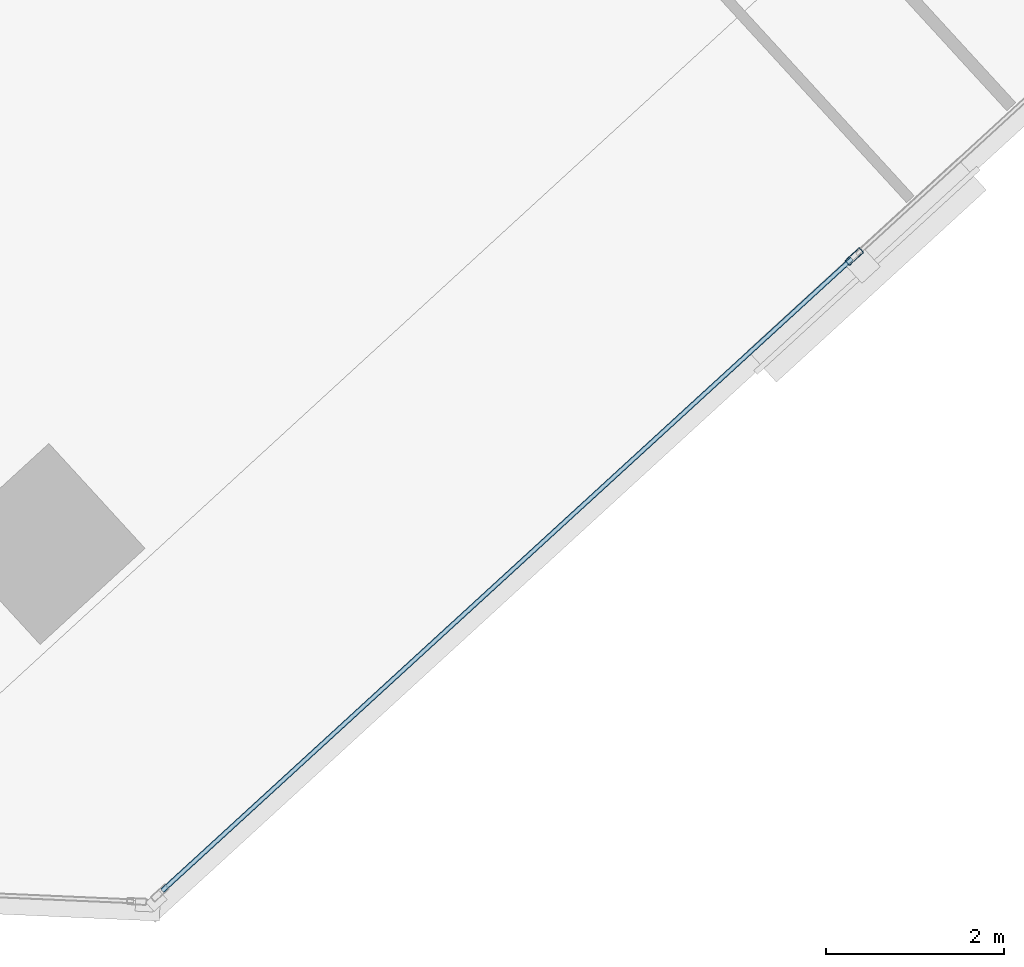
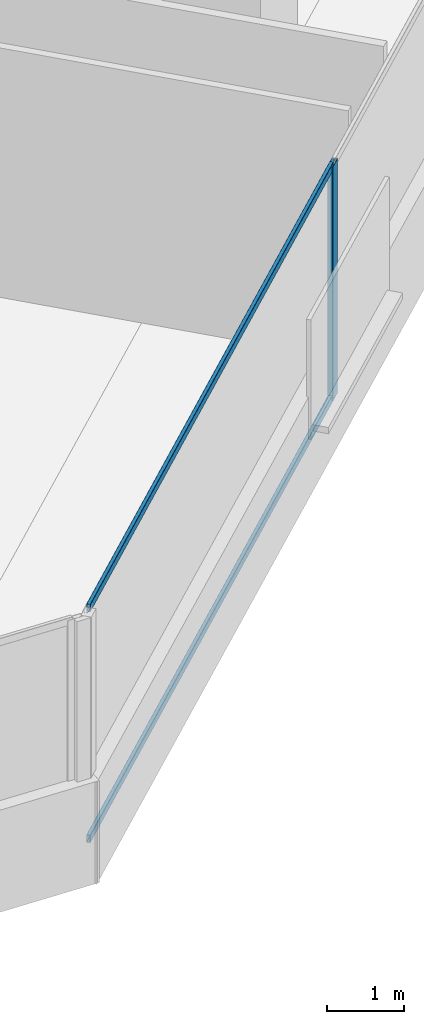
# One storey, part 5 of 16: 3 members, 1 element without a shape of its own.
"""IFC4 building model written with IfcOpenShell, lengths in metres."""

from ifc_helpers import new_model, si_unit, direction, frame, origin, origin_2d, place, context, subcontext, project, spatial, hollow_rectangle, extrude, source, transform, mapped, material, material_profile, profile_set, type_object, element, aggregate, save


model = new_model("IFC4")

# Units and contexts
model_context = context("Model", 3, precision=1e-05, world=origin(), true_north=direction((0.0, 1.0)))
body_context = subcontext(model_context, "Body", "Model", "MODEL_VIEW")
ifc_project = project(units=[si_unit("LENGTHUNIT", "METRE"), si_unit("AREAUNIT", "SQUARE_METRE"), si_unit("VOLUMEUNIT", "CUBIC_METRE"), si_unit("PLANEANGLEUNIT", "RADIAN"), si_unit("MASSUNIT", "GRAM", prefix="KILO")], contexts=[model_context])

# Site, building, storey
site_placement = place(None, origin())
site = spatial("IfcSite", under=ifc_project, at=site_placement, CompositionType="ELEMENT")
building_placement = place(site_placement, origin())
building = spatial("IfcBuilding", under=site, at=building_placement, Name="Torre Montelarca", CompositionType="ELEMENT")
storey_placement = place(building_placement, frame((0.0, 0.0, 262.60009765625)))
storey = spatial("IfcBuildingStorey", under=building, at=storey_placement, Name="L59", CompositionType="ELEMENT", Elevation=262.60009765625)

# Curtain wall, members
ifc_material_1 = material(Name="Insulated low-E laminated glass", Category="glass")
curtain_wall_type = type_object("IfcCurtainWallType", Name="CW-SYS-Z3", PredefinedType="USERDEFINED", material=ifc_material_1)
curtain_wall_placement = place(storey_placement, origin())
curtain_wall = element("IfcCurtainWall", 1, at=curtain_wall_placement, inside=storey, type_object=curtain_wall_type, Name="L59 Curtain Wall Run CW-T3-L59-E06-B1", ObjectType="UNITISED GLAZING", PredefinedType="USERDEFINED")
ifc_material_2 = material(Name="Anodised aluminium AA 6063-T6", Category="aluminium")
ifc_material_profile_1 = material_profile(ifc_material_2, hollow_rectangle(XDim=0.074951171875, YDim=0.219970703125, WallThickness=0.0048828125, InnerFilletRadius=0.0048828125, OuterFilletRadius=0.010009765625, at=origin_2d()), Name="ALU75X220X5", Category="aluminium")
ifc_profile_set_1 = profile_set([ifc_material_profile_1], Name="Anodised aluminium AA 6063-T6")
member_type_1 = type_object("IfcMemberType", Name="CWM-ALU220", PredefinedType="MULLION", material=ifc_profile_set_1)
shared_shape_1 = source(origin(), body_context, "Body", "SweptSolid", [
    extrude(hollow_rectangle(XDim=0.074951171875, YDim=0.219970703125, WallThickness=0.0048828125, InnerFilletRadius=0.0048828125, OuterFilletRadius=0.010009765625, at=origin_2d()), origin(), (0.0, 0.0, 1.0), 3.719970703125),
])
member_1_placement = place(storey_placement, frame((38.56005859375, 14.71435546875, 0.0), z_axis=(0.0, 0.0, 1.0), x_axis=(-0.675587287841, 0.73728001228, 0.0)))
member_1 = element("IfcMember", 2, at=member_1_placement, type_object=member_type_1, Name="CW mullion 2", PredefinedType="MULLION", context=body_context, shape_type="MappedRepresentation", body=[
    mapped(shared_shape_1, transform((0.0, 0.0, 0.0), scale=1.0)),
])
ifc_material_profile_2 = material_profile(ifc_material_2, hollow_rectangle(XDim=0.054931640625, YDim=0.1201171875, WallThickness=0.00341796875, InnerFilletRadius=0.00341796875, OuterFilletRadius=0.007080078125, at=origin_2d()), Name="ALU55X120X3.5", Category="aluminium")
ifc_profile_set_2 = profile_set([ifc_material_profile_2], Name="Anodised aluminium AA 6063-T6")
member_type_2 = type_object("IfcMemberType", Name="CWT-ALU120", PredefinedType="USERDEFINED", material=ifc_profile_set_2)
shared_shape_2 = source(origin(), body_context, "Body", "SweptSolid", [
    extrude(hollow_rectangle(XDim=0.054931640625, YDim=0.1201171875, WallThickness=0.00341796875, InnerFilletRadius=0.00341796875, OuterFilletRadius=0.007080078125, at=origin_2d()), origin(), (0.0, 0.0, 1.0), 10.521728515625),
])
member_2_placement = place(storey_placement, frame((30.775146484375, 7.58056640625, 0.02734375), z_axis=(0.737271635659, 0.675596429277, 0.0), x_axis=(-0.675596429277, 0.737271635659, 0.0)))
member_2 = element("IfcMember", 3, at=member_2_placement, type_object=member_type_2, Name="CW transom 1.1", ObjectType="TRANSOM", PredefinedType="USERDEFINED", context=body_context, shape_type="MappedRepresentation", body=[
    mapped(shared_shape_2, transform((0.0, 0.0, 0.0), scale=1.0)),
])
member_3_placement = place(storey_placement, frame((30.775146484375, 7.58056640625, 3.6923828125), z_axis=(0.737271635659, 0.675596429277, 0.0), x_axis=(-0.675596429277, 0.737271635659, 0.0)))
member_3 = element("IfcMember", 4, at=member_3_placement, type_object=member_type_2, Name="CW transom 1.2", ObjectType="TRANSOM", PredefinedType="USERDEFINED", context=body_context, shape_type="MappedRepresentation", body=[
    mapped(shared_shape_2, transform((0.0, 0.0, 0.0), scale=1.0)),
])
aggregate(curtain_wall, [member_1, member_2, member_3])

save(model, "model.ifc")
